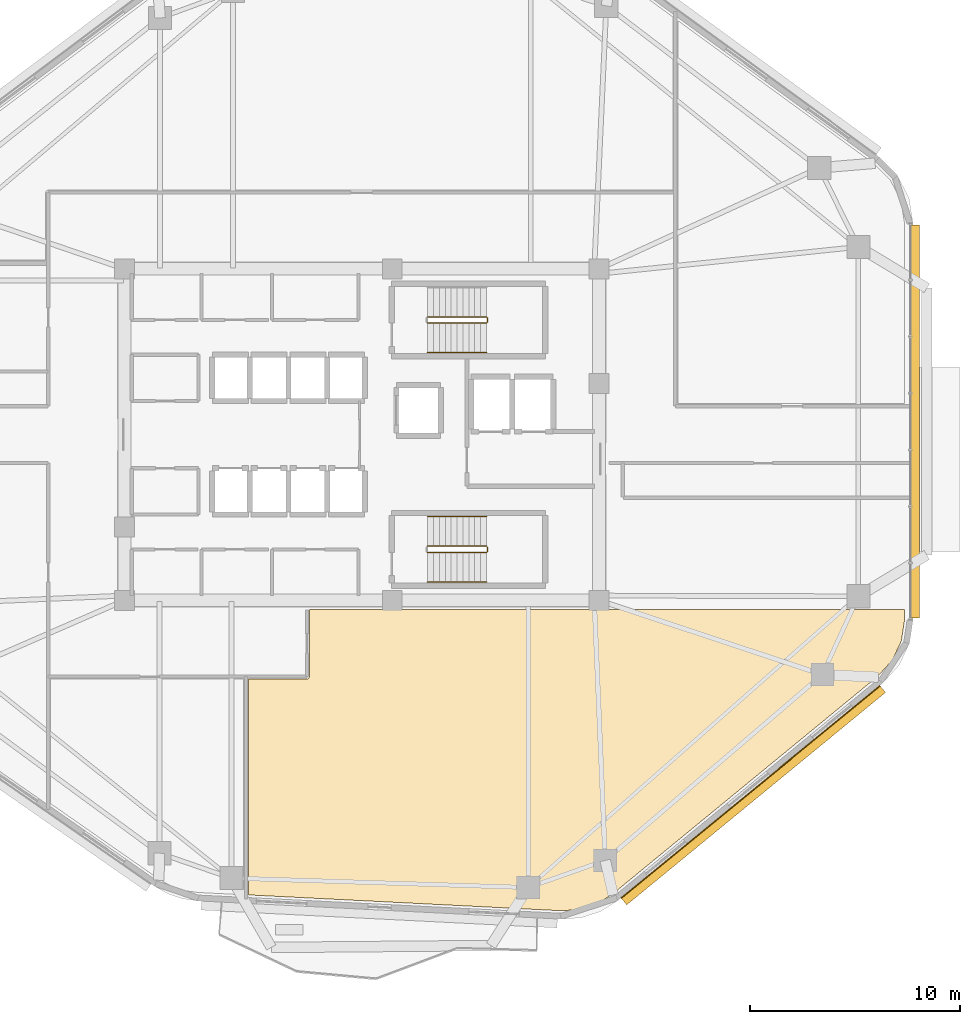
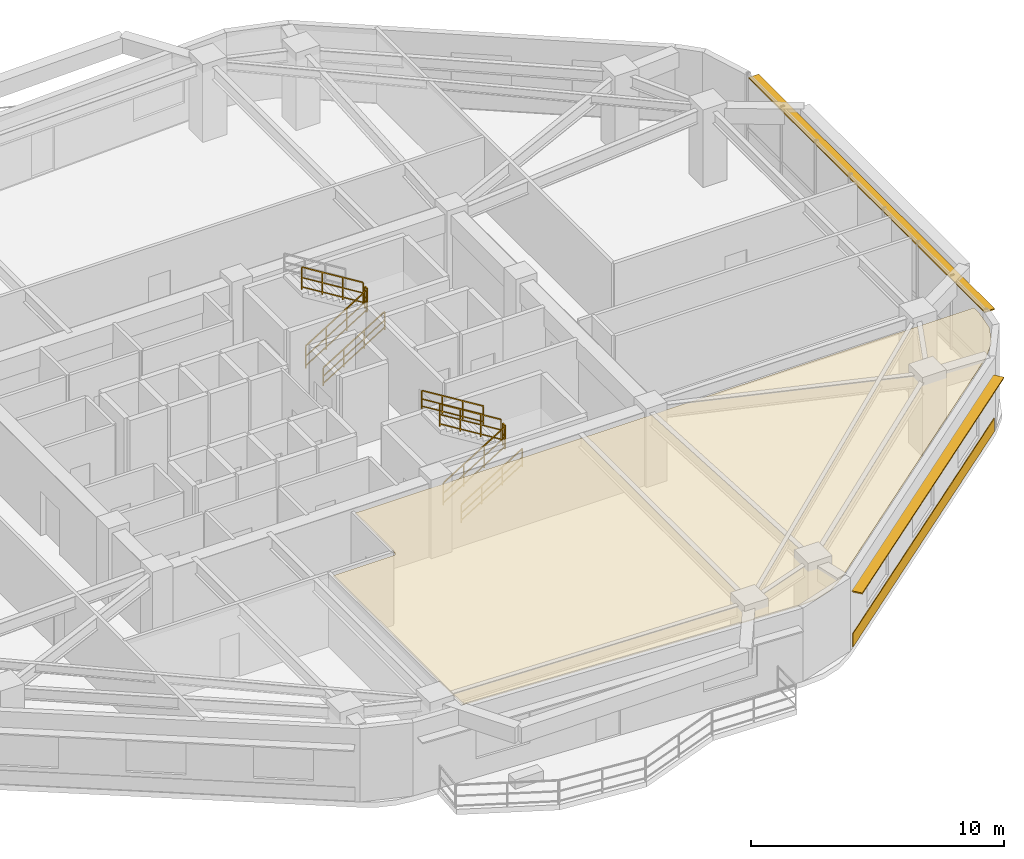
# One storey, part 14 of 15: 9 railings, 2 coverings, 2 shading devices.
"""IFC4 building model written with IfcOpenShell, lengths in metres."""

from ifc_helpers import new_model, si_unit, direction, frame, origin, origin_2d, place, context, subcontext, project, spatial, polyline, rectangle, outline, extrude, material, layer, layer_set, type_object, element, save


model = new_model("IFC4")

# Units and contexts
model_context = context("Model", 3, precision=1e-05, world=origin(), true_north=direction((0.0, 1.0)))
body_context = subcontext(model_context, "Body", "Model", "MODEL_VIEW")
ifc_project = project(units=[si_unit("LENGTHUNIT", "METRE"), si_unit("AREAUNIT", "SQUARE_METRE"), si_unit("VOLUMEUNIT", "CUBIC_METRE"), si_unit("PLANEANGLEUNIT", "RADIAN"), si_unit("MASSUNIT", "GRAM", prefix="KILO")], contexts=[model_context])

# Site, building, storey
site_placement = place(None, origin())
site = spatial("IfcSite", under=ifc_project, at=site_placement, CompositionType="ELEMENT")
building_placement = place(site_placement, origin())
building = spatial("IfcBuilding", under=site, at=building_placement, Name="Zulverin Broadcast Headquarters", CompositionType="ELEMENT")
storey_placement = place(building_placement, frame((0.0, 0.0, 132.60009765625)))
storey = spatial("IfcBuildingStorey", under=building, at=storey_placement, Name="L33", CompositionType="ELEMENT", Elevation=132.60009765625)

# Coverings
ifc_material_1 = material(Name="Perforated pale-metal acoustic baffle ceiling", Category="aluminium")
ifc_layer_1 = layer(ifc_material_1, 0.0400390625, Name="Perforated pale-metal acoustic baffle ceiling", Category="aluminium")
ifc_layer_set_1 = layer_set([ifc_layer_1], Name="Perforated pale-metal acoustic baffle ceiling")
covering_type_1 = type_object("IfcCoveringType", Name="COV-CEIL-ACOU", PredefinedType="CEILING", material=ifc_layer_set_1)
covering_1_placement = place(storey_placement, frame((0.0, 0.0, 3.35986328125)))
element("IfcCovering", 1, at=covering_1_placement, inside=storey, type_object=covering_type_1, Name="L33 Acoustic Baffle Ceiling 03", PredefinedType="CEILING", context=body_context, shape_type="SweptSolid", body=[
    extrude(outline(polyline([(34.3798828125, 13.580078125), (34.367919921875, 13.580078125), (31.6201171875, 13.580078125), (31.6201171875, 3.327880859375), (43.008056640625, 2.751953125), (46.491943359375, 2.575927734375), (47.3720703125, 2.639892578125), (48.18798828125, 2.907958984375), (48.931884765625, 3.3798828125), (61.49609375, 13.696044921875), (62.2080078125, 14.47607421875), (62.64404296875, 15.404052734375), (62.800048828125, 16.444091796875), (62.800048828125, 16.89990234375), (48.635986328125, 16.89990234375), (48.6279296875, 16.89599609375), (48.6201171875, 16.89208984375), (48.612060546875, 16.887939453125), (48.60009765625, 16.884033203125), (48.592041015625, 16.884033203125), (48.580078125, 16.8798828125), (48.568115234375, 16.8798828125), (34.52001953125, 16.8798828125), (34.52001953125, 13.73193359375), (34.52001953125, 13.719970703125), (34.51611328125, 13.7080078125), (34.51611328125, 13.699951171875), (34.511962890625, 13.68798828125), (34.508056640625, 13.679931640625), (34.50390625, 13.672119140625), (34.5, 13.6640625), (34.491943359375, 13.652099609375), (34.48388671875, 13.639892578125), (34.47607421875, 13.632080078125), (34.468017578125, 13.6240234375), (34.4599609375, 13.615966796875), (34.447998046875, 13.60791015625), (34.43603515625, 13.60009765625), (34.427978515625, 13.595947265625), (34.419921875, 13.592041015625), (34.412109375, 13.587890625), (34.39990234375, 13.583984375), (34.39208984375, 13.583984375), (34.3798828125, 13.580078125)])), origin(), (0.0, 0.0, 1.0), 0.0400390625),
])
ifc_material_2 = material(Name="Brushed pale-aluminium rainscreen cladding", Category="aluminium")
ifc_layer_2 = layer(ifc_material_2, 0.0400390625, Name="Brushed pale-aluminium rainscreen cladding", Category="aluminium")
ifc_layer_set_2 = layer_set([ifc_layer_2], Name="Brushed pale-aluminium rainscreen cladding")
covering_type_2 = type_object("IfcCoveringType", Name="COV-CLAD-PALE", PredefinedType="CLADDING", material=ifc_layer_set_2)
covering_2_placement = place(storey_placement, frame((55.47802734375, 8.222412109375, 0.054931640625), z_axis=(0.0, 0.0, 1.0), x_axis=(0.77293958613, 0.634479626302, 0.0)))
element("IfcCovering", 2, at=covering_2_placement, inside=storey, type_object=covering_type_2, Name="L33 Brushed Pale-Aluminium Spandrel Cladding 2", PredefinedType="CLADDING", context=body_context, shape_type="SweptSolid", body=[
    extrude(rectangle(XDim=15.90869140625, YDim=0.0400390625, at=origin_2d()), origin(), (0.0, 0.0, 1.0), 0.64990234375),
])

# Railings
ifc_material_3 = material(Name="Painted galvanized steel tubular guardrail S355JR", Category="steel")
railing_type_1 = type_object("IfcRailingType", Name="RL-ST-GUARD", PredefinedType="GUARDRAIL", material=ifc_material_3)
railing_1_placement = place(storey_placement, frame((40.1298828125, 30.5, 0.172607421875)))
element("IfcRailing", 3, at=railing_1_placement, inside=storey, type_object=railing_type_1, Name="L33 ST-1 stair guard 1", PredefinedType="GUARDRAIL", context=body_context, shape_type="SweptSolid", body=[
    extrude(rectangle(XDim=0.048095703125, YDim=0.048095703125, at=origin_2d()), frame((0.0, 0.0, 1.076171875), z_axis=(0.851089632645, 0.0, 0.525020415988), x_axis=(0.0, 1.0, 0.0)), (0.0, 0.0, 1.0), 3.2900390625),
    extrude(rectangle(XDim=0.0419921875, YDim=0.0419921875, at=origin_2d()), frame((0.0, 0.0, 0.572021484375), z_axis=(0.851089632645, 0.0, 0.525020415988), x_axis=(0.0, 1.0, 0.0)), (0.0, 0.0, 1.0), 3.2900390625),
    extrude(rectangle(XDim=0.0419921875, YDim=0.0419921875, at=origin_2d()), frame((0.0, 0.0, 0.1201171875), z_axis=(0.851089632645, 0.0, 0.525020415988), x_axis=(0.0, 1.0, 0.0)), (0.0, 0.0, 1.0), 3.2900390625),
    extrude(rectangle(XDim=0.0419921875, YDim=0.0419921875, at=origin_2d()), origin(), (0.0, 0.0, 1.0), 1.052001953125),
    extrude(rectangle(XDim=0.0419921875, YDim=0.0419921875, at=origin_2d()), frame((0.933349609375, 0.0, 0.57568359375)), (0.0, 0.0, 1.0), 1.052001953125),
    extrude(rectangle(XDim=0.0419921875, YDim=0.0419921875, at=origin_2d()), frame((1.86669921875, 0.0, 1.151611328125)), (0.0, 0.0, 1.0), 1.052001953125),
    extrude(rectangle(XDim=0.0419921875, YDim=0.0419921875, at=origin_2d()), frame((2.800048828125, 0.0, 1.727294921875)), (0.0, 0.0, 1.0), 1.052001953125),
])
railing_2_placement = place(storey_placement, frame((42.97998046875, 30.550048828125, 1.89990234375)))
element("IfcRailing", 4, at=railing_2_placement, inside=storey, type_object=railing_type_1, Name="L33 ST-1 stair guard 2", PredefinedType="GUARDRAIL", context=body_context, shape_type="SweptSolid", body=[
    extrude(rectangle(XDim=0.048095703125, YDim=0.048095703125, at=origin_2d()), frame((0.0, 0.0, 1.076171875), z_axis=(0.0, 1.0, 0.0), x_axis=(-1.0, 0.0, 0.0)), (0.0, 0.0, 1.0), 0.199951171875),
    extrude(rectangle(XDim=0.0419921875, YDim=0.0419921875, at=origin_2d()), frame((0.0, 0.0, 0.572021484375), z_axis=(0.0, 1.0, 0.0), x_axis=(-1.0, 0.0, 0.0)), (0.0, 0.0, 1.0), 0.199951171875),
    extrude(rectangle(XDim=0.0419921875, YDim=0.0419921875, at=origin_2d()), frame((0.0, 0.0, 0.1201171875), z_axis=(0.0, 1.0, 0.0), x_axis=(-1.0, 0.0, 0.0)), (0.0, 0.0, 1.0), 0.199951171875),
    extrude(rectangle(XDim=0.0419921875, YDim=0.0419921875, at=origin_2d()), origin(), (0.0, 0.0, 1.0), 1.052001953125),
    extrude(rectangle(XDim=0.0419921875, YDim=0.0419921875, at=origin_2d()), frame((0.0, 0.199951171875, 0.0)), (0.0, 0.0, 1.0), 1.052001953125),
])
railing_3_placement = place(storey_placement, frame((42.929931640625, 30.800048828125, 2.072509765625)))
element("IfcRailing", 5, at=railing_3_placement, inside=storey, type_object=railing_type_1, Name="L33 ST-1 stair guard 3", PredefinedType="GUARDRAIL", context=body_context, shape_type="SweptSolid", body=[
    extrude(rectangle(XDim=0.048095703125, YDim=0.048095703125, at=origin_2d()), frame((0.0, 0.0, 1.076171875), z_axis=(-0.851089632645, 0.0, 0.525020415988), x_axis=(0.0, -1.0, 0.0)), (0.0, 0.0, 1.0), 3.2900390625),
    extrude(rectangle(XDim=0.0419921875, YDim=0.0419921875, at=origin_2d()), frame((0.0, 0.0, 0.572021484375), z_axis=(-0.851089632645, 0.0, 0.525020415988), x_axis=(0.0, -1.0, 0.0)), (0.0, 0.0, 1.0), 3.2900390625),
    extrude(rectangle(XDim=0.0419921875, YDim=0.0419921875, at=origin_2d()), frame((0.0, 0.0, 0.1201171875), z_axis=(-0.851089632645, 0.0, 0.525020415988), x_axis=(0.0, -1.0, 0.0)), (0.0, 0.0, 1.0), 3.2900390625),
    extrude(rectangle(XDim=0.0419921875, YDim=0.0419921875, at=origin_2d()), origin(), (0.0, 0.0, 1.0), 1.052001953125),
    extrude(rectangle(XDim=0.0419921875, YDim=0.0419921875, at=origin_2d()), frame((-0.933349609375, 0.0, 0.57568359375)), (0.0, 0.0, 1.0), 1.052001953125),
    extrude(rectangle(XDim=0.0419921875, YDim=0.0419921875, at=origin_2d()), frame((-1.86669921875, 0.0, 1.151611328125)), (0.0, 0.0, 1.0), 1.052001953125),
    extrude(rectangle(XDim=0.0419921875, YDim=0.0419921875, at=origin_2d()), frame((-2.800048828125, 0.0, 1.727294921875)), (0.0, 0.0, 1.0), 1.052001953125),
])
railing_4_placement = place(storey_placement, frame((40.1298828125, 19.60009765625, 0.172607421875)))
element("IfcRailing", 6, at=railing_4_placement, inside=storey, type_object=railing_type_1, Name="L33 ST-2 stair guard 1", PredefinedType="GUARDRAIL", context=body_context, shape_type="SweptSolid", body=[
    extrude(rectangle(XDim=0.048095703125, YDim=0.048095703125, at=origin_2d()), frame((0.0, 0.0, 1.076171875), z_axis=(0.851089632645, 0.0, 0.525020415988), x_axis=(0.0, 1.0, 0.0)), (0.0, 0.0, 1.0), 3.2900390625),
    extrude(rectangle(XDim=0.0419921875, YDim=0.0419921875, at=origin_2d()), frame((0.0, 0.0, 0.572021484375), z_axis=(0.851089632645, 0.0, 0.525020415988), x_axis=(0.0, 1.0, 0.0)), (0.0, 0.0, 1.0), 3.2900390625),
    extrude(rectangle(XDim=0.0419921875, YDim=0.0419921875, at=origin_2d()), frame((0.0, 0.0, 0.1201171875), z_axis=(0.851089632645, 0.0, 0.525020415988), x_axis=(0.0, 1.0, 0.0)), (0.0, 0.0, 1.0), 3.2900390625),
    extrude(rectangle(XDim=0.0419921875, YDim=0.0419921875, at=origin_2d()), origin(), (0.0, 0.0, 1.0), 1.052001953125),
    extrude(rectangle(XDim=0.0419921875, YDim=0.0419921875, at=origin_2d()), frame((0.933349609375, 0.0, 0.57568359375)), (0.0, 0.0, 1.0), 1.052001953125),
    extrude(rectangle(XDim=0.0419921875, YDim=0.0419921875, at=origin_2d()), frame((1.86669921875, 0.0, 1.151611328125)), (0.0, 0.0, 1.0), 1.052001953125),
    extrude(rectangle(XDim=0.0419921875, YDim=0.0419921875, at=origin_2d()), frame((2.800048828125, 0.0, 1.727294921875)), (0.0, 0.0, 1.0), 1.052001953125),
])
railing_5_placement = place(storey_placement, frame((42.97998046875, 19.64990234375, 1.89990234375)))
element("IfcRailing", 7, at=railing_5_placement, inside=storey, type_object=railing_type_1, Name="L33 ST-2 stair guard 2", PredefinedType="GUARDRAIL", context=body_context, shape_type="SweptSolid", body=[
    extrude(rectangle(XDim=0.048095703125, YDim=0.048095703125, at=origin_2d()), frame((0.0, 0.0, 1.076171875), z_axis=(0.0, 1.0, 0.0), x_axis=(-1.0, 0.0, 0.0)), (0.0, 0.0, 1.0), 0.2001953125),
    extrude(rectangle(XDim=0.0419921875, YDim=0.0419921875, at=origin_2d()), frame((0.0, 0.0, 0.572021484375), z_axis=(0.0, 1.0, 0.0), x_axis=(-1.0, 0.0, 0.0)), (0.0, 0.0, 1.0), 0.2001953125),
    extrude(rectangle(XDim=0.0419921875, YDim=0.0419921875, at=origin_2d()), frame((0.0, 0.0, 0.1201171875), z_axis=(0.0, 1.0, 0.0), x_axis=(-1.0, 0.0, 0.0)), (0.0, 0.0, 1.0), 0.2001953125),
    extrude(rectangle(XDim=0.0419921875, YDim=0.0419921875, at=origin_2d()), origin(), (0.0, 0.0, 1.0), 1.052001953125),
    extrude(rectangle(XDim=0.0419921875, YDim=0.0419921875, at=origin_2d()), frame((0.0, 0.2001953125, 0.0)), (0.0, 0.0, 1.0), 1.052001953125),
])
railing_6_placement = place(storey_placement, frame((42.929931640625, 19.89990234375, 2.072509765625)))
element("IfcRailing", 8, at=railing_6_placement, inside=storey, type_object=railing_type_1, Name="L33 ST-2 stair guard 3", PredefinedType="GUARDRAIL", context=body_context, shape_type="SweptSolid", body=[
    extrude(rectangle(XDim=0.048095703125, YDim=0.048095703125, at=origin_2d()), frame((0.0, 0.0, 1.076171875), z_axis=(-0.851089632645, 0.0, 0.525020415988), x_axis=(0.0, -1.0, 0.0)), (0.0, 0.0, 1.0), 3.2900390625),
    extrude(rectangle(XDim=0.0419921875, YDim=0.0419921875, at=origin_2d()), frame((0.0, 0.0, 0.572021484375), z_axis=(-0.851089632645, 0.0, 0.525020415988), x_axis=(0.0, -1.0, 0.0)), (0.0, 0.0, 1.0), 3.2900390625),
    extrude(rectangle(XDim=0.0419921875, YDim=0.0419921875, at=origin_2d()), frame((0.0, 0.0, 0.1201171875), z_axis=(-0.851089632645, 0.0, 0.525020415988), x_axis=(0.0, -1.0, 0.0)), (0.0, 0.0, 1.0), 3.2900390625),
    extrude(rectangle(XDim=0.0419921875, YDim=0.0419921875, at=origin_2d()), origin(), (0.0, 0.0, 1.0), 1.052001953125),
    extrude(rectangle(XDim=0.0419921875, YDim=0.0419921875, at=origin_2d()), frame((-0.933349609375, 0.0, 0.57568359375)), (0.0, 0.0, 1.0), 1.052001953125),
    extrude(rectangle(XDim=0.0419921875, YDim=0.0419921875, at=origin_2d()), frame((-1.86669921875, 0.0, 1.151611328125)), (0.0, 0.0, 1.0), 1.052001953125),
    extrude(rectangle(XDim=0.0419921875, YDim=0.0419921875, at=origin_2d()), frame((-2.800048828125, 0.0, 1.727294921875)), (0.0, 0.0, 1.0), 1.052001953125),
])
ifc_material_4 = material(Name="Brushed stainless steel 48 mm handrail", Category="steel")
railing_type_2 = type_object("IfcRailingType", Name="RL-ST-HAND", PredefinedType="HANDRAIL", material=ifc_material_4)
for number, where, name in (
    (9, (40.1298828125, 29.10009765625, 0.172607421875), "L33 ST-1 stair handrail 1"),
    (10, (40.1298828125, 18.199951171875, 0.172607421875), "L33 ST-2 stair handrail 1"),
):
    element("IfcRailing", number, at=place(storey_placement, frame(where)), inside=storey, type_object=railing_type_2, Name=name, PredefinedType="HANDRAIL", context=body_context, shape_type="SweptSolid", body=[
        extrude(rectangle(XDim=0.048095703125, YDim=0.048095703125, at=origin_2d()), frame((0.0, 0.0, 0.8759765625), z_axis=(0.851089632645, 0.0, 0.525020415988), x_axis=(0.0, 1.0, 0.0)), (0.0, 0.0, 1.0), 3.2900390625),
        extrude(rectangle(XDim=0.0419921875, YDim=0.0419921875, at=origin_2d()), frame((0.0, 0.0, 0.468017578125), z_axis=(0.851089632645, 0.0, 0.525020415988), x_axis=(0.0, 1.0, 0.0)), (0.0, 0.0, 1.0), 3.2900390625),
        extrude(rectangle(XDim=0.0419921875, YDim=0.0419921875, at=origin_2d()), frame((0.0, 0.0, 0.1201171875), z_axis=(0.851089632645, 0.0, 0.525020415988), x_axis=(0.0, 1.0, 0.0)), (0.0, 0.0, 1.0), 3.2900390625),
        extrude(rectangle(XDim=0.0419921875, YDim=0.0419921875, at=origin_2d()), origin(), (0.0, 0.0, 1.0), 0.851806640625),
        extrude(rectangle(XDim=0.0419921875, YDim=0.0419921875, at=origin_2d()), frame((0.933349609375, 0.0, 0.57568359375)), (0.0, 0.0, 1.0), 0.851806640625),
        extrude(rectangle(XDim=0.0419921875, YDim=0.0419921875, at=origin_2d()), frame((1.86669921875, 0.0, 1.151611328125)), (0.0, 0.0, 1.0), 0.851806640625),
        extrude(rectangle(XDim=0.0419921875, YDim=0.0419921875, at=origin_2d()), frame((2.800048828125, 0.0, 1.727294921875)), (0.0, 0.0, 1.0), 0.851806640625),
    ])
railing_7_placement = place(storey_placement, frame((42.929931640625, 21.300048828125, 2.072509765625)))
element("IfcRailing", 11, at=railing_7_placement, inside=storey, type_object=railing_type_2, Name="L33 ST-2 stair handrail 2", PredefinedType="HANDRAIL", context=body_context, shape_type="SweptSolid", body=[
    extrude(rectangle(XDim=0.048095703125, YDim=0.048095703125, at=origin_2d()), frame((0.0, 0.0, 0.8759765625), z_axis=(-0.851089632645, 0.0, 0.525020415988), x_axis=(0.0, -1.0, 0.0)), (0.0, 0.0, 1.0), 3.2900390625),
    extrude(rectangle(XDim=0.0419921875, YDim=0.0419921875, at=origin_2d()), frame((0.0, 0.0, 0.468017578125), z_axis=(-0.851089632645, 0.0, 0.525020415988), x_axis=(0.0, -1.0, 0.0)), (0.0, 0.0, 1.0), 3.2900390625),
    extrude(rectangle(XDim=0.0419921875, YDim=0.0419921875, at=origin_2d()), frame((0.0, 0.0, 0.1201171875), z_axis=(-0.851089632645, 0.0, 0.525020415988), x_axis=(0.0, -1.0, 0.0)), (0.0, 0.0, 1.0), 3.2900390625),
    extrude(rectangle(XDim=0.0419921875, YDim=0.0419921875, at=origin_2d()), origin(), (0.0, 0.0, 1.0), 0.851806640625),
    extrude(rectangle(XDim=0.0419921875, YDim=0.0419921875, at=origin_2d()), frame((-0.933349609375, 0.0, 0.57568359375)), (0.0, 0.0, 1.0), 0.851806640625),
    extrude(rectangle(XDim=0.0419921875, YDim=0.0419921875, at=origin_2d()), frame((-1.86669921875, 0.0, 1.151611328125)), (0.0, 0.0, 1.0), 0.851806640625),
    extrude(rectangle(XDim=0.0419921875, YDim=0.0419921875, at=origin_2d()), frame((-2.800048828125, 0.0, 1.727294921875)), (0.0, 0.0, 1.0), 0.851806640625),
])

# Shading devices
ifc_material_5 = material(Name="Anodized pale-metal aluminium sunshade", Category="aluminium")
ifc_layer_3 = layer(ifc_material_5, 0.06005859375, Name="Anodized pale-metal aluminium sunshade", Category="aluminium")
ifc_layer_set_3 = layer_set([ifc_layer_3], Name="Anodized pale-metal aluminium sunshade")
shading_device_type = type_object("IfcShadingDeviceType", Name="SS-01_PALE_METAL_ALUMINIUM_SUNSHADE", PredefinedType="USERDEFINED", material=ifc_layer_set_3)
shading_device_1_placement = place(storey_placement, frame((55.598388671875, 8.075439453125, 2.7099609375), z_axis=(0.0, 0.0, 1.0), x_axis=(0.77293958613, 0.634479626302, 0.0)))
element("IfcShadingDevice", 12, at=shading_device_1_placement, inside=storey, type_object=shading_device_type, Name="L33 Horizontal Pale-Metal Sunshade Band 2", ObjectType="SUNSHADE", PredefinedType="USERDEFINED", context=body_context, shape_type="SweptSolid", body=[
    extrude(rectangle(XDim=15.90869140625, YDim=0.449951171875, at=origin_2d()), origin(), (0.0, 0.0, 1.0), 0.06005859375),
])
shading_device_2_placement = place(storey_placement, frame((63.280029296875, 25.82421875, 3.309814453125), z_axis=(0.0, 0.0, 1.0), x_axis=(0.0, 1.0, 0.0)))
element("IfcShadingDevice", 13, at=shading_device_2_placement, inside=storey, type_object=shading_device_type, Name="L33 Pale-Metal Horizontal Sunshade Band CW-L33-E3", ObjectType="SUNSHADE", PredefinedType="USERDEFINED", context=body_context, shape_type="SweptSolid", body=[
    extrude(rectangle(XDim=18.671630859375, YDim=0.449951171875, at=origin_2d()), origin(), (0.0, 0.0, 1.0), 0.06005859375),
])

save(model, "model.ifc")
